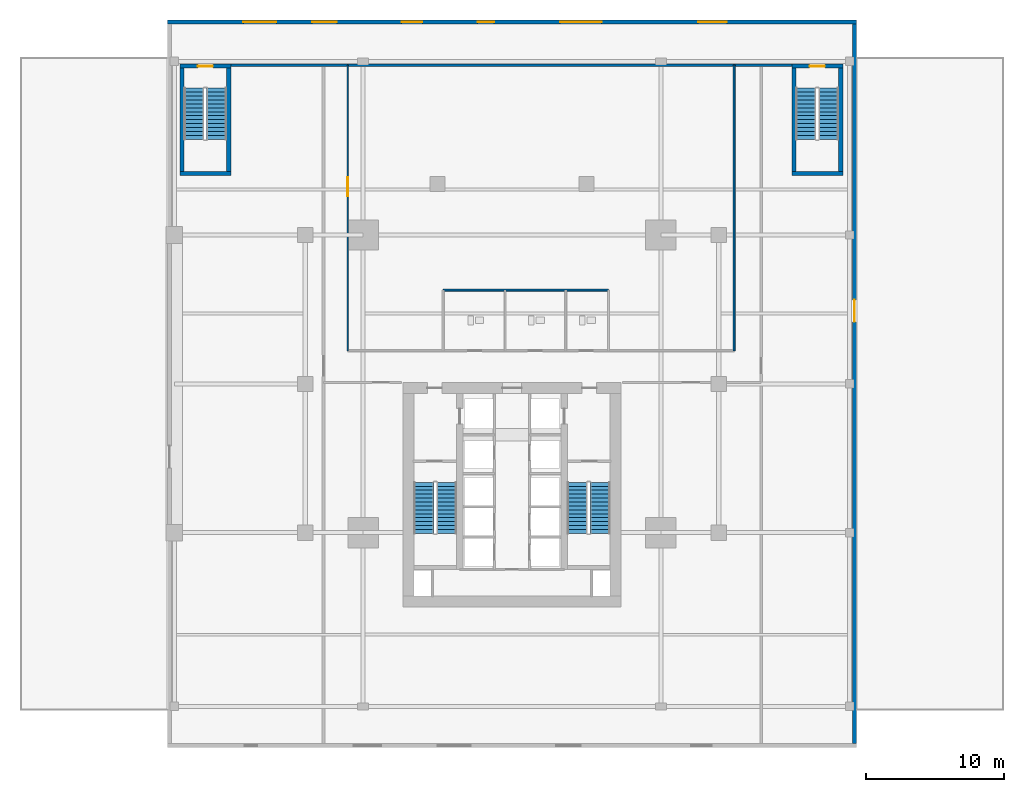
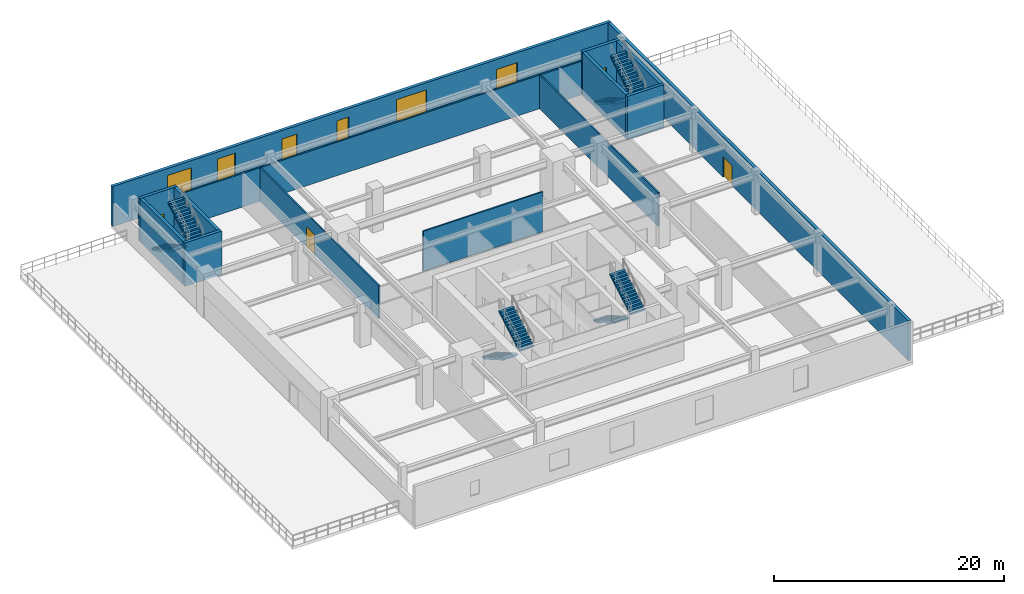
# One storey, part 4 of 9: 14 walls, 8 stair flights, 6 windows, 4 doors, 10 openings, 4 elements without a shape of their own.
"""IFC4 building model written with IfcOpenShell, lengths in metres."""

from ifc_helpers import new_model, si_unit, direction, frame, frame_2d, origin, place, context, subcontext, project, spatial, polyline, rectangle, outline, extrude, material, layer, layer_set, type_object, element, fill, aggregate, save


model = new_model("IFC4")

# Units and contexts
model_context = context("Model", 3, precision=1e-05, world=origin(), true_north=direction((0.0, 1.0)))
body_context = subcontext(model_context, "Body", "Model", "MODEL_VIEW")
ifc_project = project(units=[si_unit("LENGTHUNIT", "METRE"), si_unit("AREAUNIT", "SQUARE_METRE"), si_unit("VOLUMEUNIT", "CUBIC_METRE"), si_unit("PLANEANGLEUNIT", "RADIAN"), si_unit("MASSUNIT", "GRAM", prefix="KILO")], contexts=[model_context])

# Site, building, storey
site_placement = place(None, origin())
site = spatial("IfcSite", under=ifc_project, at=site_placement, CompositionType="ELEMENT")
building_placement = place(site_placement, origin())
building = spatial("IfcBuilding", under=site, at=building_placement, Name="Krantzveldt Concourse Tower", CompositionType="ELEMENT")
storey_placement = place(building_placement, frame((0.0, 0.0, 15.39990234375)))
storey = spatial("IfcBuildingStorey", under=building, at=storey_placement, Name="L03", CompositionType="ELEMENT", Elevation=15.39990234375)

# Wall, openings, windows
ifc_material_1 = material(Name="Concrete C40/50", Category="concrete")
ifc_layer_1 = layer(ifc_material_1, 0.300048828125, Name="Concrete C40/50", Category="concrete")
ifc_layer_set_1 = layer_set([ifc_layer_1], Name="Concrete C40/50 (WL-EXT-GRAN300)")
wall_type_1 = type_object("IfcWallType", Name="WL-EXT-GRAN300", PredefinedType="SOLIDWALL", material=ifc_layer_set_1)
wall_1_placement = place(storey_placement, frame((11.0, 52.949951171875, 0.0), z_axis=(0.0, 0.0, 1.0), x_axis=(1.0, 0.0, 0.0)))
wall_1 = element("IfcWall", 1, at=wall_1_placement, inside=storey, type_object=wall_type_1, Name="EW-L03-N", PredefinedType="SOLIDWALL", context=body_context, shape_type="SweptSolid", body=[
    extrude(rectangle(XDim=50.0, YDim=0.300048828125, at=frame_2d((25.0, 0.0))), origin(), (0.0, 0.0, 1.0), 4.25),
])
opening_1_placement = place(wall_1_placement, frame((5.5, 0.0, 0.89990234375)))
opening_1 = element("IfcOpeningElement", 2, at=opening_1_placement, cuts=wall_1, Name="Opening W-POD-2400x2600", PredefinedType="OPENING", context=body_context, shape_type="SweptSolid", body=[
    extrude(rectangle(XDim=2.39990234375, YDim=2.60009765625, at=frame_2d((1.199951171875, 1.300048828125))), frame((0.0, 0.16015625, 0.0), z_axis=(0.0, -1.0, 0.0), x_axis=(1.0, 0.0, 0.0)), (0.0, 0.0, 1.0), 0.320068359375),
])
opening_2_placement = place(wall_1_placement, frame((10.5, 0.0, 0.89990234375)))
opening_2 = element("IfcOpeningElement", 3, at=opening_2_placement, cuts=wall_1, Name="Opening W-POD-1800x2600", PredefinedType="OPENING", context=body_context, shape_type="SweptSolid", body=[
    extrude(rectangle(XDim=1.800048828125, YDim=2.60009765625, at=frame_2d((0.89990234375, 1.300048828125))), frame((0.0, 0.16015625, 0.0), z_axis=(0.0, -1.0, 0.0), x_axis=(1.0, 0.0, 0.0)), (0.0, 0.0, 1.0), 0.320068359375),
])
opening_3_placement = place(wall_1_placement, frame((17.0, 0.0, 0.949951171875)))
opening_3 = element("IfcOpeningElement", 4, at=opening_3_placement, cuts=wall_1, Name="Opening W-POD-1500x2400", PredefinedType="OPENING", context=body_context, shape_type="SweptSolid", body=[
    extrude(rectangle(XDim=1.5, YDim=2.39990234375, at=frame_2d((0.75, 1.199951171875))), frame((0.0, 0.16015625, 0.0), z_axis=(0.0, -1.0, 0.0), x_axis=(1.0, 0.0, 0.0)), (0.0, 0.0, 1.0), 0.320068359375),
])
opening_4_placement = place(wall_1_placement, frame((22.5, 0.0, 0.949951171875)))
opening_4 = element("IfcOpeningElement", 5, at=opening_4_placement, cuts=wall_1, Name="Opening W-POD-1200x2400", PredefinedType="OPENING", context=body_context, shape_type="SweptSolid", body=[
    extrude(rectangle(XDim=1.199951171875, YDim=2.39990234375, at=frame_2d((0.60009765625, 1.199951171875))), frame((0.0, 0.16015625, 0.0), z_axis=(0.0, -1.0, 0.0), x_axis=(1.0, 0.0, 0.0)), (0.0, 0.0, 1.0), 0.320068359375),
])
opening_5_placement = place(wall_1_placement, frame((28.5, 0.0, 0.89990234375)))
opening_5 = element("IfcOpeningElement", 6, at=opening_5_placement, cuts=wall_1, Name="Opening W-POD-3000x2600", PredefinedType="OPENING", context=body_context, shape_type="SweptSolid", body=[
    extrude(rectangle(XDim=3.0, YDim=2.60009765625, at=frame_2d((1.5, 1.300048828125))), frame((0.0, 0.16015625, 0.0), z_axis=(0.0, -1.0, 0.0), x_axis=(1.0, 0.0, 0.0)), (0.0, 0.0, 1.0), 0.320068359375),
])
opening_6_placement = place(wall_1_placement, frame((38.5, 0.0, 1.0)))
opening_6 = element("IfcOpeningElement", 7, at=opening_6_placement, cuts=wall_1, Name="Opening W-POD-2100x2200", PredefinedType="OPENING", context=body_context, shape_type="SweptSolid", body=[
    extrude(rectangle(XDim=2.10009765625, YDim=2.199951171875, at=frame_2d((1.050048828125, 1.10009765625))), frame((0.0, 0.16015625, 0.0), z_axis=(0.0, -1.0, 0.0), x_axis=(1.0, 0.0, 0.0)), (0.0, 0.0, 1.0), 0.320068359375),
])
ifc_material_2 = material(Name="Bronze-tinted laminated low-E IGU glass", Category="glass")
window_type_1 = type_object("IfcWindowType", Name="WN-POD-1200x2400", PartitioningType="SINGLE_PANEL", PredefinedType="WINDOW", material=ifc_material_2)
window_1_placement = place(opening_4_placement, origin())
window_1 = element("IfcWindow", 8, at=window_1_placement, inside=storey, type_object=window_type_1, Name="WN-L03-N04", OverallHeight=2.39990234375, OverallWidth=1.199951171875, PartitioningType="SINGLE_PANEL", PredefinedType="WINDOW", context=body_context, shape_type="SweptSolid", body=[
    extrude(rectangle(XDim=1.199951171875, YDim=2.39990234375, at=frame_2d((0.60009765625, 1.199951171875))), frame((0.0, 0.030029296875, 0.0), z_axis=(0.0, -1.0, 0.0), x_axis=(1.0, 0.0, 0.0)), (0.0, 0.0, 1.0), 0.06005859375),
])
fill(opening_4, window_1)
window_type_2 = type_object("IfcWindowType", Name="WN-POD-1500x2400", PartitioningType="SINGLE_PANEL", PredefinedType="WINDOW", material=ifc_material_2)
window_2_placement = place(opening_3_placement, origin())
window_2 = element("IfcWindow", 9, at=window_2_placement, inside=storey, type_object=window_type_2, Name="WN-L03-N03", OverallHeight=2.39990234375, OverallWidth=1.5, PartitioningType="SINGLE_PANEL", PredefinedType="WINDOW", context=body_context, shape_type="SweptSolid", body=[
    extrude(rectangle(XDim=1.5, YDim=2.39990234375, at=frame_2d((0.75, 1.199951171875))), frame((0.0, 0.030029296875, 0.0), z_axis=(0.0, -1.0, 0.0), x_axis=(1.0, 0.0, 0.0)), (0.0, 0.0, 1.0), 0.06005859375),
])
fill(opening_3, window_2)
window_type_3 = type_object("IfcWindowType", Name="WN-POD-1800x2600", PartitioningType="SINGLE_PANEL", PredefinedType="WINDOW", material=ifc_material_2)
window_3_placement = place(opening_2_placement, origin())
window_3 = element("IfcWindow", 10, at=window_3_placement, inside=storey, type_object=window_type_3, Name="WN-L03-N02", OverallHeight=2.60009765625, OverallWidth=1.800048828125, PartitioningType="SINGLE_PANEL", PredefinedType="WINDOW", context=body_context, shape_type="SweptSolid", body=[
    extrude(rectangle(XDim=1.800048828125, YDim=2.60009765625, at=frame_2d((0.89990234375, 1.300048828125))), frame((0.0, 0.030029296875, 0.0), z_axis=(0.0, -1.0, 0.0), x_axis=(1.0, 0.0, 0.0)), (0.0, 0.0, 1.0), 0.06005859375),
])
fill(opening_2, window_3)
window_type_4 = type_object("IfcWindowType", Name="WN-POD-2100x2200", PartitioningType="SINGLE_PANEL", PredefinedType="WINDOW", material=ifc_material_2)
window_4_placement = place(opening_6_placement, origin())
window_4 = element("IfcWindow", 11, at=window_4_placement, inside=storey, type_object=window_type_4, Name="WN-L03-N06", OverallHeight=2.199951171875, OverallWidth=2.10009765625, PartitioningType="SINGLE_PANEL", PredefinedType="WINDOW", context=body_context, shape_type="SweptSolid", body=[
    extrude(rectangle(XDim=2.10009765625, YDim=2.199951171875, at=frame_2d((1.050048828125, 1.10009765625))), frame((0.0, 0.030029296875, 0.0), z_axis=(0.0, -1.0, 0.0), x_axis=(1.0, 0.0, 0.0)), (0.0, 0.0, 1.0), 0.06005859375),
])
fill(opening_6, window_4)
window_type_5 = type_object("IfcWindowType", Name="WN-POD-2400x2600", PartitioningType="SINGLE_PANEL", PredefinedType="WINDOW", material=ifc_material_2)
window_5_placement = place(opening_1_placement, origin())
window_5 = element("IfcWindow", 12, at=window_5_placement, inside=storey, type_object=window_type_5, Name="WN-L03-N01", OverallHeight=2.60009765625, OverallWidth=2.39990234375, PartitioningType="SINGLE_PANEL", PredefinedType="WINDOW", context=body_context, shape_type="SweptSolid", body=[
    extrude(rectangle(XDim=2.39990234375, YDim=2.60009765625, at=frame_2d((1.199951171875, 1.300048828125))), frame((0.0, 0.030029296875, 0.0), z_axis=(0.0, -1.0, 0.0), x_axis=(1.0, 0.0, 0.0)), (0.0, 0.0, 1.0), 0.06005859375),
])
fill(opening_1, window_5)
window_type_6 = type_object("IfcWindowType", Name="WN-POD-3000x2600", PartitioningType="SINGLE_PANEL", PredefinedType="WINDOW", material=ifc_material_2)
window_6_placement = place(opening_5_placement, origin())
window_6 = element("IfcWindow", 13, at=window_6_placement, inside=storey, type_object=window_type_6, Name="WN-L03-N05", OverallHeight=2.60009765625, OverallWidth=3.0, PartitioningType="SINGLE_PANEL", PredefinedType="WINDOW", context=body_context, shape_type="SweptSolid", body=[
    extrude(rectangle(XDim=3.0, YDim=2.60009765625, at=frame_2d((1.5, 1.300048828125))), frame((0.0, 0.030029296875, 0.0), z_axis=(0.0, -1.0, 0.0), x_axis=(1.0, 0.0, 0.0)), (0.0, 0.0, 1.0), 0.06005859375),
])
fill(opening_5, window_6)

# Wall, opening, door
wall_2_placement = place(storey_placement, frame((60.85009765625, 52.800048828125, 0.0), z_axis=(0.0, 0.0, 1.0), x_axis=(0.0, -1.0, 0.0)))
wall_2 = element("IfcWall", 14, at=wall_2_placement, inside=storey, type_object=wall_type_1, Name="EW-L03-E", PredefinedType="SOLIDWALL", context=body_context, shape_type="SweptSolid", body=[
    extrude(rectangle(XDim=52.199951171875, YDim=0.300048828125, at=frame_2d((26.10009765625, 0.0))), origin(), (0.0, 0.0, 1.0), 4.25),
])
opening_7_placement = place(wall_2_placement, frame((20.0, 0.0, 0.0)))
opening_7 = element("IfcOpeningElement", 15, at=opening_7_placement, cuts=wall_2, Name="Opening D-TR16", PredefinedType="OPENING", context=body_context, shape_type="SweptSolid", body=[
    extrude(rectangle(XDim=1.60009765625, YDim=2.14990234375, at=frame_2d((0.800048828125, 1.074951171875))), frame((0.0, 0.16015625, 0.0), z_axis=(0.0, -1.0, 0.0), x_axis=(1.0, 0.0, 0.0)), (0.0, 0.0, 1.0), 0.320068359375),
])
ifc_material_3 = material(Name="Anodised aluminium 6063-T6", Category="aluminium")
door_type_1 = type_object("IfcDoorType", Name="DR-TER-1600", OperationType="DOUBLE_DOOR_SINGLE_SWING", PredefinedType="DOOR", material=ifc_material_3)
door_1_placement = place(opening_7_placement, origin())
door_1 = element("IfcDoor", 16, at=door_1_placement, inside=storey, type_object=door_type_1, Name="DR-L03-TERE", OperationType="DOUBLE_DOOR_SINGLE_SWING", OverallHeight=2.14990234375, OverallWidth=1.60009765625, PredefinedType="DOOR", context=body_context, shape_type="SweptSolid", body=[
    extrude(rectangle(XDim=1.60009765625, YDim=2.14990234375, at=frame_2d((0.800048828125, 1.074951171875))), frame((0.0, 0.02490234375, 0.0), z_axis=(0.0, -1.0, 0.0), x_axis=(1.0, 0.0, 0.0)), (0.0, 0.0, 1.0), 0.050048828125),
])
fill(opening_7, door_1)

ifc_material_4 = material(Name="Fire-rated gypsum plasterboard on steel stud", Category="steel")
ifc_layer_2 = layer(ifc_material_4, 0.139892578125, Name="Fire-rated gypsum plasterboard on steel stud", Category="steel")
ifc_layer_set_2 = layer_set([ifc_layer_2], Name="Fire-rated gypsum plasterboard on steel stud (WL-PART-140)")
wall_type_2 = type_object("IfcWallType", Name="WL-PART-140", PredefinedType="PARTITIONING", material=ifc_layer_set_2)
wall_3_placement = place(storey_placement, frame((24.080078125, 29.10009765625, 0.0), z_axis=(0.0, 0.0, 1.0), x_axis=(0.0, 1.0, 0.0)))
wall_3 = element("IfcWall", 17, at=wall_3_placement, inside=storey, type_object=wall_type_2, Name="WP-L03-CWL2", PredefinedType="PARTITIONING", context=body_context, shape_type="SweptSolid", body=[
    extrude(rectangle(XDim=20.719970703125, YDim=0.139892578125, at=frame_2d((10.35986328125, 0.0))), origin(), (0.0, 0.0, 1.0), 3.550048828125),
])
opening_8_placement = place(wall_3_placement, frame((11.199951171875, 0.0, 0.0)))
opening_8 = element("IfcOpeningElement", 18, at=opening_8_placement, cuts=wall_3, Name="Opening D-DB140", PredefinedType="OPENING", context=body_context, shape_type="SweptSolid", body=[
    extrude(rectangle(XDim=1.39990234375, YDim=2.199951171875, at=frame_2d((0.699951171875, 1.10009765625))), frame((0.0, 0.080078125, 0.0), z_axis=(0.0, -1.0, 0.0), x_axis=(1.0, 0.0, 0.0)), (0.0, 0.0, 1.0), 0.159912109375),
])
door_type_2 = type_object("IfcDoorType", Name="DR-DBL-1400", OperationType="DOUBLE_DOOR_SINGLE_SWING", PredefinedType="DOOR", material=ifc_material_3)
door_2_placement = place(opening_8_placement, origin())
door_2 = element("IfcDoor", 19, at=door_2_placement, inside=storey, type_object=door_type_2, Name="DR-L03-LNG", OperationType="DOUBLE_DOOR_SINGLE_SWING", OverallHeight=2.199951171875, OverallWidth=1.39990234375, PredefinedType="DOOR", context=body_context, shape_type="SweptSolid", body=[
    extrude(rectangle(XDim=1.39990234375, YDim=2.199951171875, at=frame_2d((0.699951171875, 1.10009765625))), frame((0.0, 0.02490234375, 0.0), z_axis=(0.0, -1.0, 0.0), x_axis=(1.0, 0.0, 0.0)), (0.0, 0.0, 1.0), 0.050048828125),
])
fill(opening_8, door_2)

# Walls
wall_4_placement = place(storey_placement, frame((52.1201171875, 29.10009765625, 0.0), z_axis=(0.0, 0.0, 1.0), x_axis=(0.0, 1.0, 0.0)))
element("IfcWall", 20, at=wall_4_placement, inside=storey, type_object=wall_type_2, Name="WP-L03-CEL1", PredefinedType="PARTITIONING", context=body_context, shape_type="SweptSolid", body=[
    extrude(rectangle(XDim=20.719970703125, YDim=0.139892578125, at=frame_2d((10.35986328125, 0.0))), origin(), (0.0, 0.0, 1.0), 3.610107421875),
])
wall_5_placement = place(storey_placement, frame((31.0, 33.5, 0.0), z_axis=(0.0, 0.0, 1.0), x_axis=(1.0, 0.0, 0.0)))
element("IfcWall", 21, at=wall_5_placement, inside=storey, type_object=wall_type_2, Name="WP-L03-WCN", PredefinedType="PARTITIONING", context=body_context, shape_type="SweptSolid", body=[
    extrude(rectangle(XDim=12.0, YDim=0.139892578125, at=frame_2d((6.0, 0.0))), origin(), (0.0, 0.0, 1.0), 4.25),
])
ifc_layer_3 = layer(ifc_material_4, 0.159912109375, Name="Fire-rated gypsum plasterboard on steel stud", Category="steel")
ifc_layer_set_3 = layer_set([ifc_layer_3], Name="Fire-rated gypsum plasterboard on steel stud (WL-PART-FR160)")
wall_type_3 = type_object("IfcWallType", Name="WL-PART-FR160", PredefinedType="PARTITIONING", material=ifc_layer_set_3)
wall_6_placement = place(storey_placement, frame((15.60009765625, 49.820068359375, 0.0), z_axis=(0.0, 0.0, 1.0), x_axis=(1.0, 0.0, 0.0)))
element("IfcWall", 22, at=wall_6_placement, inside=storey, type_object=wall_type_3, Name="WP-L03-CNT", PredefinedType="PARTITIONING", context=body_context, shape_type="SweptSolid", body=[
    extrude(rectangle(XDim=40.699951171875, YDim=0.159912109375, at=frame_2d((20.35009765625, 0.0))), origin(), (0.0, 0.0, 1.0), 3.56005859375),
])
ifc_material_5 = material(Name="Concrete C50/60", Category="concrete")
ifc_layer_4 = layer(ifc_material_5, 0.300048828125, Name="Concrete C50/60", Category="concrete")
ifc_layer_set_4 = layer_set([ifc_layer_4], Name="Concrete C50/60 (WL-SHEAR-300)")
wall_type_4 = type_object("IfcWallType", Name="WL-SHEAR-300", PredefinedType="SHEAR", material=ifc_layer_set_4)
wall_7_placement = place(storey_placement, frame((11.89990234375, 41.969970703125, 0.0), z_axis=(0.0, 0.0, 1.0), x_axis=(1.0, 0.0, 0.0)))
element("IfcWall", 23, at=wall_7_placement, inside=storey, type_object=wall_type_4, Name="CW-L03-ST3-S", PredefinedType="SHEAR", context=body_context, shape_type="SweptSolid", body=[
    extrude(rectangle(XDim=3.7001953125, YDim=0.300048828125, at=frame_2d((1.85009765625, 0.0))), origin(), (0.0, 0.0, 1.0), 4.60009765625),
])

# Wall, opening, door
wall_8_placement = place(storey_placement, frame((15.60009765625, 49.75, 0.0), z_axis=(0.0, 0.0, 1.0), x_axis=(-1.0, 0.0, 0.0)))
wall_8 = element("IfcWall", 24, at=wall_8_placement, inside=storey, type_object=wall_type_4, Name="CW-L03-ST3-N", PredefinedType="SHEAR", context=body_context, shape_type="SweptSolid", body=[
    extrude(rectangle(XDim=3.7001953125, YDim=0.300048828125, at=frame_2d((1.85009765625, 0.0))), origin(), (0.0, 0.0, 1.0), 4.60009765625),
])
opening_9_placement = place(wall_8_placement, frame((1.300048828125, 0.0, 0.0)))
opening_9 = element("IfcOpeningElement", 25, at=opening_9_placement, cuts=wall_8, Name="Opening D-FD110", PredefinedType="OPENING", context=body_context, shape_type="SweptSolid", body=[
    extrude(rectangle(XDim=1.10009765625, YDim=2.14990234375, at=frame_2d((0.550048828125, 1.074951171875))), frame((0.0, 0.16015625, 0.0), z_axis=(0.0, -1.0, 0.0), x_axis=(1.0, 0.0, 0.0)), (0.0, 0.0, 1.0), 0.320068359375),
])
ifc_material_6 = material(Name="Galvanised steel", Category="steel")
door_type_3 = type_object("IfcDoorType", Name="DR-FD120-1100", OperationType="SINGLE_SWING_LEFT", PredefinedType="DOOR", material=ifc_material_6)
door_3_placement = place(opening_9_placement, origin())
door_3 = element("IfcDoor", 26, at=door_3_placement, inside=storey, type_object=door_type_3, Name="DR-L03-ST3", OperationType="SINGLE_SWING_LEFT", OverallHeight=2.14990234375, OverallWidth=1.10009765625, PredefinedType="DOOR", context=body_context, shape_type="SweptSolid", body=[
    extrude(rectangle(XDim=1.10009765625, YDim=2.14990234375, at=frame_2d((0.550048828125, 1.074951171875))), frame((0.0, 0.02490234375, 0.0), z_axis=(0.0, -1.0, 0.0), x_axis=(1.0, 0.0, 0.0)), (0.0, 0.0, 1.0), 0.050048828125),
])
fill(opening_9, door_3)

# Walls
for number, where, z_axis, x_axis, name in (
    (27, (12.050048828125, 42.1201171875, 0.0), (0.0, 0.0, 1.0), (0.0, 1.0, 0.0), "CW-L03-ST3-W"),
    (28, (15.449951171875, 42.1201171875, 0.0), (0.0, 0.0, 1.0), (0.0, 1.0, 0.0), "CW-L03-ST3-E"),
):
    element("IfcWall", number, at=place(storey_placement, frame(where, z_axis=z_axis, x_axis=x_axis)), inside=storey, type_object=wall_type_4, Name=name, PredefinedType="SHEAR", context=body_context, shape_type="SweptSolid", body=[
        extrude(rectangle(XDim=7.47998046875, YDim=0.300048828125, at=frame_2d((3.739990234375, 0.0))), origin(), (0.0, 0.0, 1.0), 4.60009765625),
    ])
wall_9_placement = place(storey_placement, frame((56.300048828125, 41.969970703125, 0.0), z_axis=(0.0, 0.0, 1.0), x_axis=(1.0, 0.0, 0.0)))
element("IfcWall", 29, at=wall_9_placement, inside=storey, type_object=wall_type_4, Name="CW-L03-ST4-S", PredefinedType="SHEAR", context=body_context, shape_type="SweptSolid", body=[
    extrude(rectangle(XDim=3.699951171875, YDim=0.300048828125, at=frame_2d((1.85009765625, 0.0))), origin(), (0.0, 0.0, 1.0), 4.60009765625),
])

# Wall, opening, door
wall_10_placement = place(storey_placement, frame((60.0, 49.75, 0.0), z_axis=(0.0, 0.0, 1.0), x_axis=(-1.0, 0.0, 0.0)))
wall_10 = element("IfcWall", 30, at=wall_10_placement, inside=storey, type_object=wall_type_4, Name="CW-L03-ST4-N", PredefinedType="SHEAR", context=body_context, shape_type="SweptSolid", body=[
    extrude(rectangle(XDim=3.699951171875, YDim=0.300048828125, at=frame_2d((1.85009765625, 0.0))), origin(), (0.0, 0.0, 1.0), 4.60009765625),
])
opening_10_placement = place(wall_10_placement, frame((1.300048828125, 0.0, 0.0)))
opening_10 = element("IfcOpeningElement", 31, at=opening_10_placement, cuts=wall_10, Name="Opening D-FD110", PredefinedType="OPENING", context=body_context, shape_type="SweptSolid", body=[
    extrude(rectangle(XDim=1.10009765625, YDim=2.14990234375, at=frame_2d((0.550048828125, 1.074951171875))), frame((0.0, 0.16015625, 0.0), z_axis=(0.0, -1.0, 0.0), x_axis=(1.0, 0.0, 0.0)), (0.0, 0.0, 1.0), 0.320068359375),
])
door_4_placement = place(opening_10_placement, origin())
door_4 = element("IfcDoor", 32, at=door_4_placement, inside=storey, type_object=door_type_3, Name="DR-L03-ST4", OperationType="SINGLE_SWING_LEFT", OverallHeight=2.14990234375, OverallWidth=1.10009765625, PredefinedType="DOOR", context=body_context, shape_type="SweptSolid", body=[
    extrude(rectangle(XDim=1.10009765625, YDim=2.14990234375, at=frame_2d((0.550048828125, 1.074951171875))), frame((0.0, 0.02490234375, 0.0), z_axis=(0.0, -1.0, 0.0), x_axis=(1.0, 0.0, 0.0)), (0.0, 0.0, 1.0), 0.050048828125),
])
fill(opening_10, door_4)

# Walls
for number, where, z_axis, x_axis, name in (
    (33, (56.449951171875, 42.1201171875, 0.0), (0.0, 0.0, 1.0), (0.0, 1.0, 0.0), "CW-L03-ST4-W"),
    (34, (59.85009765625, 42.1201171875, 0.0), (0.0, 0.0, 1.0), (0.0, 1.0, 0.0), "CW-L03-ST4-E"),
):
    element("IfcWall", number, at=place(storey_placement, frame(where, z_axis=z_axis, x_axis=x_axis)), inside=storey, type_object=wall_type_4, Name=name, PredefinedType="SHEAR", context=body_context, shape_type="SweptSolid", body=[
        extrude(rectangle(XDim=7.47998046875, YDim=0.300048828125, at=frame_2d((3.739990234375, 0.0))), origin(), (0.0, 0.0, 1.0), 4.60009765625),
    ])

# Stair, stair flights
ifc_material_7 = material(Name="Precast concrete C40/50", Category="concrete")
stair_type = type_object("IfcStairType", Name="STR-CORE-DOGLEG", PredefinedType="HALF_TURN_STAIR", material=ifc_material_7)
stair_1_placement = place(storey_placement, origin())
stair_1 = element("IfcStair", 35, at=stair_1_placement, inside=storey, type_object=stair_type, Name="L03 Protected Escape Stair ST-1", PredefinedType="HALF_TURN_STAIR")
stair_flight_type = type_object("IfcStairFlightType", Name="STF-CORE-1450", PredefinedType="STRAIGHT", material=ifc_material_7)
stair_flight_1_placement = place(storey_placement, frame((29.60498046875, 19.550048828125, 0.0), z_axis=(0.0, 0.0, 1.0), x_axis=(0.0, -1.0, 0.0)))
stair_flight_1 = element("IfcStairFlight", 36, at=stair_flight_1_placement, type_object=stair_flight_type, Name="ST-1 flight 1", NumberOfRisers=14, NumberOfTreads=13, PredefinedType="STRAIGHT", RiserHeight=0.164285714, TreadLength=0.285, context=body_context, shape_type="SweptSolid", body=[
    extrude(outline(polyline([(0.0, 0.0), (0.0, 0.164306640625), (0.284912109375, 0.164306640625), (0.284912109375, 0.32861328125), (0.570068359375, 0.32861328125), (0.570068359375, 0.492919921875), (0.85498046875, 0.492919921875), (0.85498046875, 0.6572265625), (1.139892578125, 0.6572265625), (1.139892578125, 0.821533203125), (1.425048828125, 0.821533203125), (1.425048828125, 0.985595703125), (1.7099609375, 0.985595703125), (1.7099609375, 1.14990234375), (1.9951171875, 1.14990234375), (1.9951171875, 1.314208984375), (2.280029296875, 1.314208984375), (2.280029296875, 1.478515625), (2.56494140625, 1.478515625), (2.56494140625, 1.642822265625), (2.85009765625, 1.642822265625), (2.85009765625, 1.80712890625), (3.135009765625, 1.80712890625), (3.135009765625, 1.971435546875), (3.419921875, 1.971435546875), (3.419921875, 2.1357421875), (3.705078125, 2.1357421875), (3.705078125, 2.300048828125), (3.705078125, 1.962646484375), (0.300048828125, 0.0), (0.0, 0.0)])), frame((0.0, 0.72509765625, 0.0), z_axis=(0.0, -1.0, 0.0), x_axis=(1.0, 0.0, 0.0)), (0.0, 0.0, 1.0), 1.449951171875),
])
stair_flight_2_placement = place(storey_placement, frame((31.2548828125, 15.844970703125, 2.300048828125), z_axis=(0.0, 0.0, 1.0), x_axis=(0.0, 1.0, 0.0)))
stair_flight_2 = element("IfcStairFlight", 37, at=stair_flight_2_placement, type_object=stair_flight_type, Name="ST-1 flight 2", NumberOfRisers=14, NumberOfTreads=13, PredefinedType="STRAIGHT", RiserHeight=0.164285714, TreadLength=0.285, context=body_context, shape_type="SweptSolid", body=[
    extrude(outline(polyline([(0.0, 0.0), (0.0, 0.164306640625), (0.284912109375, 0.164306640625), (0.284912109375, 0.32861328125), (0.570068359375, 0.32861328125), (0.570068359375, 0.492919921875), (0.85498046875, 0.492919921875), (0.85498046875, 0.6572265625), (1.139892578125, 0.6572265625), (1.139892578125, 0.821533203125), (1.425048828125, 0.821533203125), (1.425048828125, 0.985595703125), (1.7099609375, 0.985595703125), (1.7099609375, 1.14990234375), (1.9951171875, 1.14990234375), (1.9951171875, 1.314208984375), (2.280029296875, 1.314208984375), (2.280029296875, 1.478515625), (2.56494140625, 1.478515625), (2.56494140625, 1.642822265625), (2.85009765625, 1.642822265625), (2.85009765625, 1.80712890625), (3.135009765625, 1.80712890625), (3.135009765625, 1.971435546875), (3.419921875, 1.971435546875), (3.419921875, 2.1357421875), (3.705078125, 2.1357421875), (3.705078125, 2.300048828125), (3.705078125, 1.962646484375), (0.300048828125, 0.0), (0.0, 0.0)])), frame((0.0, 0.72509765625, 0.0), z_axis=(0.0, -1.0, 0.0), x_axis=(1.0, 0.0, 0.0)), (0.0, 0.0, 1.0), 1.449951171875),
])
aggregate(stair_1, [stair_flight_1, stair_flight_2])

stair_2_placement = place(storey_placement, origin())
stair_2 = element("IfcStair", 38, at=stair_2_placement, inside=storey, type_object=stair_type, Name="L03 Protected Escape Stair ST-2", PredefinedType="HALF_TURN_STAIR")
stair_flight_3_placement = place(storey_placement, frame((40.7451171875, 19.550048828125, 0.0), z_axis=(0.0, 0.0, 1.0), x_axis=(0.0, -1.0, 0.0)))
stair_flight_3 = element("IfcStairFlight", 39, at=stair_flight_3_placement, type_object=stair_flight_type, Name="ST-2 flight 1", NumberOfRisers=14, NumberOfTreads=13, PredefinedType="STRAIGHT", RiserHeight=0.164285714, TreadLength=0.285, context=body_context, shape_type="SweptSolid", body=[
    extrude(outline(polyline([(0.0, 0.0), (0.0, 0.164306640625), (0.284912109375, 0.164306640625), (0.284912109375, 0.32861328125), (0.570068359375, 0.32861328125), (0.570068359375, 0.492919921875), (0.85498046875, 0.492919921875), (0.85498046875, 0.6572265625), (1.139892578125, 0.6572265625), (1.139892578125, 0.821533203125), (1.425048828125, 0.821533203125), (1.425048828125, 0.985595703125), (1.7099609375, 0.985595703125), (1.7099609375, 1.14990234375), (1.9951171875, 1.14990234375), (1.9951171875, 1.314208984375), (2.280029296875, 1.314208984375), (2.280029296875, 1.478515625), (2.56494140625, 1.478515625), (2.56494140625, 1.642822265625), (2.85009765625, 1.642822265625), (2.85009765625, 1.80712890625), (3.135009765625, 1.80712890625), (3.135009765625, 1.971435546875), (3.419921875, 1.971435546875), (3.419921875, 2.1357421875), (3.705078125, 2.1357421875), (3.705078125, 2.300048828125), (3.705078125, 1.962646484375), (0.300048828125, 0.0), (0.0, 0.0)])), frame((0.0, 0.72509765625, 0.0), z_axis=(0.0, -1.0, 0.0), x_axis=(1.0, 0.0, 0.0)), (0.0, 0.0, 1.0), 1.449951171875),
])
stair_flight_4_placement = place(storey_placement, frame((42.39501953125, 15.844970703125, 2.300048828125), z_axis=(0.0, 0.0, 1.0), x_axis=(0.0, 1.0, 0.0)))
stair_flight_4 = element("IfcStairFlight", 40, at=stair_flight_4_placement, type_object=stair_flight_type, Name="ST-2 flight 2", NumberOfRisers=14, NumberOfTreads=13, PredefinedType="STRAIGHT", RiserHeight=0.164285714, TreadLength=0.285, context=body_context, shape_type="SweptSolid", body=[
    extrude(outline(polyline([(0.0, 0.0), (0.0, 0.164306640625), (0.284912109375, 0.164306640625), (0.284912109375, 0.32861328125), (0.570068359375, 0.32861328125), (0.570068359375, 0.492919921875), (0.85498046875, 0.492919921875), (0.85498046875, 0.6572265625), (1.139892578125, 0.6572265625), (1.139892578125, 0.821533203125), (1.425048828125, 0.821533203125), (1.425048828125, 0.985595703125), (1.7099609375, 0.985595703125), (1.7099609375, 1.14990234375), (1.9951171875, 1.14990234375), (1.9951171875, 1.314208984375), (2.280029296875, 1.314208984375), (2.280029296875, 1.478515625), (2.56494140625, 1.478515625), (2.56494140625, 1.642822265625), (2.85009765625, 1.642822265625), (2.85009765625, 1.80712890625), (3.135009765625, 1.80712890625), (3.135009765625, 1.971435546875), (3.419921875, 1.971435546875), (3.419921875, 2.1357421875), (3.705078125, 2.1357421875), (3.705078125, 2.300048828125), (3.705078125, 1.962646484375), (0.300048828125, 0.0), (0.0, 0.0)])), frame((0.0, 0.72509765625, 0.0), z_axis=(0.0, -1.0, 0.0), x_axis=(1.0, 0.0, 0.0)), (0.0, 0.0, 1.0), 1.449951171875),
])
aggregate(stair_2, [stair_flight_3, stair_flight_4])

stair_3_placement = place(storey_placement, origin())
stair_3 = element("IfcStair", 41, at=stair_3_placement, inside=storey, type_object=stair_type, Name="L03 Podium Escape Stair ST-3", PredefinedType="HALF_TURN_STAIR")
stair_flight_5_placement = place(storey_placement, frame((12.925048828125, 48.14990234375, 0.0), z_axis=(0.0, 0.0, 1.0), x_axis=(0.0, -1.0, 0.0)))
stair_flight_5 = element("IfcStairFlight", 42, at=stair_flight_5_placement, type_object=stair_flight_type, Name="ST-3 flight 1", NumberOfRisers=14, NumberOfTreads=13, PredefinedType="STRAIGHT", RiserHeight=0.164285714, TreadLength=0.285, context=body_context, shape_type="SweptSolid", body=[
    extrude(outline(polyline([(0.0, 0.0), (0.0, 0.164306640625), (0.284912109375, 0.164306640625), (0.284912109375, 0.32861328125), (0.570068359375, 0.32861328125), (0.570068359375, 0.492919921875), (0.85498046875, 0.492919921875), (0.85498046875, 0.6572265625), (1.139892578125, 0.6572265625), (1.139892578125, 0.821533203125), (1.425048828125, 0.821533203125), (1.425048828125, 0.985595703125), (1.7099609375, 0.985595703125), (1.7099609375, 1.14990234375), (1.9951171875, 1.14990234375), (1.9951171875, 1.314208984375), (2.280029296875, 1.314208984375), (2.280029296875, 1.478515625), (2.56494140625, 1.478515625), (2.56494140625, 1.642822265625), (2.85009765625, 1.642822265625), (2.85009765625, 1.80712890625), (3.135009765625, 1.80712890625), (3.135009765625, 1.971435546875), (3.419921875, 1.971435546875), (3.419921875, 2.1357421875), (3.705078125, 2.1357421875), (3.705078125, 2.300048828125), (3.705078125, 1.962646484375), (0.300048828125, 0.0), (0.0, 0.0)])), frame((0.0, 0.72509765625, 0.0), z_axis=(0.0, -1.0, 0.0), x_axis=(1.0, 0.0, 0.0)), (0.0, 0.0, 1.0), 1.449951171875),
])
stair_flight_6_placement = place(storey_placement, frame((14.574951171875, 44.445068359375, 2.300048828125), z_axis=(0.0, 0.0, 1.0), x_axis=(0.0, 1.0, 0.0)))
stair_flight_6 = element("IfcStairFlight", 43, at=stair_flight_6_placement, type_object=stair_flight_type, Name="ST-3 flight 2", NumberOfRisers=14, NumberOfTreads=13, PredefinedType="STRAIGHT", RiserHeight=0.164285714, TreadLength=0.285, context=body_context, shape_type="SweptSolid", body=[
    extrude(outline(polyline([(0.0, 0.0), (0.0, 0.164306640625), (0.284912109375, 0.164306640625), (0.284912109375, 0.32861328125), (0.570068359375, 0.32861328125), (0.570068359375, 0.492919921875), (0.85498046875, 0.492919921875), (0.85498046875, 0.6572265625), (1.139892578125, 0.6572265625), (1.139892578125, 0.821533203125), (1.425048828125, 0.821533203125), (1.425048828125, 0.985595703125), (1.7099609375, 0.985595703125), (1.7099609375, 1.14990234375), (1.9951171875, 1.14990234375), (1.9951171875, 1.314208984375), (2.280029296875, 1.314208984375), (2.280029296875, 1.478515625), (2.56494140625, 1.478515625), (2.56494140625, 1.642822265625), (2.85009765625, 1.642822265625), (2.85009765625, 1.80712890625), (3.135009765625, 1.80712890625), (3.135009765625, 1.971435546875), (3.419921875, 1.971435546875), (3.419921875, 2.1357421875), (3.705078125, 2.1357421875), (3.705078125, 2.300048828125), (3.705078125, 1.962646484375), (0.300048828125, 0.0), (0.0, 0.0)])), frame((0.0, 0.72509765625, 0.0), z_axis=(0.0, -1.0, 0.0), x_axis=(1.0, 0.0, 0.0)), (0.0, 0.0, 1.0), 1.449951171875),
])
aggregate(stair_3, [stair_flight_5, stair_flight_6])

stair_4_placement = place(storey_placement, origin())
stair_4 = element("IfcStair", 44, at=stair_4_placement, inside=storey, type_object=stair_type, Name="L03 Podium Escape Stair ST-4", PredefinedType="HALF_TURN_STAIR")
stair_flight_7_placement = place(storey_placement, frame((57.324951171875, 48.14990234375, 0.0), z_axis=(0.0, 0.0, 1.0), x_axis=(0.0, -1.0, 0.0)))
stair_flight_7 = element("IfcStairFlight", 45, at=stair_flight_7_placement, type_object=stair_flight_type, Name="ST-4 flight 1", NumberOfRisers=14, NumberOfTreads=13, PredefinedType="STRAIGHT", RiserHeight=0.164285714, TreadLength=0.285, context=body_context, shape_type="SweptSolid", body=[
    extrude(outline(polyline([(0.0, 0.0), (0.0, 0.164306640625), (0.284912109375, 0.164306640625), (0.284912109375, 0.32861328125), (0.570068359375, 0.32861328125), (0.570068359375, 0.492919921875), (0.85498046875, 0.492919921875), (0.85498046875, 0.6572265625), (1.139892578125, 0.6572265625), (1.139892578125, 0.821533203125), (1.425048828125, 0.821533203125), (1.425048828125, 0.985595703125), (1.7099609375, 0.985595703125), (1.7099609375, 1.14990234375), (1.9951171875, 1.14990234375), (1.9951171875, 1.314208984375), (2.280029296875, 1.314208984375), (2.280029296875, 1.478515625), (2.56494140625, 1.478515625), (2.56494140625, 1.642822265625), (2.85009765625, 1.642822265625), (2.85009765625, 1.80712890625), (3.135009765625, 1.80712890625), (3.135009765625, 1.971435546875), (3.419921875, 1.971435546875), (3.419921875, 2.1357421875), (3.705078125, 2.1357421875), (3.705078125, 2.300048828125), (3.705078125, 1.962646484375), (0.300048828125, 0.0), (0.0, 0.0)])), frame((0.0, 0.72509765625, 0.0), z_axis=(0.0, -1.0, 0.0), x_axis=(1.0, 0.0, 0.0)), (0.0, 0.0, 1.0), 1.449951171875),
])
stair_flight_8_placement = place(storey_placement, frame((58.97509765625, 44.445068359375, 2.300048828125), z_axis=(0.0, 0.0, 1.0), x_axis=(0.0, 1.0, 0.0)))
stair_flight_8 = element("IfcStairFlight", 46, at=stair_flight_8_placement, type_object=stair_flight_type, Name="ST-4 flight 2", NumberOfRisers=14, NumberOfTreads=13, PredefinedType="STRAIGHT", RiserHeight=0.164285714, TreadLength=0.285, context=body_context, shape_type="SweptSolid", body=[
    extrude(outline(polyline([(0.0, 0.0), (0.0, 0.164306640625), (0.284912109375, 0.164306640625), (0.284912109375, 0.32861328125), (0.570068359375, 0.32861328125), (0.570068359375, 0.492919921875), (0.85498046875, 0.492919921875), (0.85498046875, 0.6572265625), (1.139892578125, 0.6572265625), (1.139892578125, 0.821533203125), (1.425048828125, 0.821533203125), (1.425048828125, 0.985595703125), (1.7099609375, 0.985595703125), (1.7099609375, 1.14990234375), (1.9951171875, 1.14990234375), (1.9951171875, 1.314208984375), (2.280029296875, 1.314208984375), (2.280029296875, 1.478515625), (2.56494140625, 1.478515625), (2.56494140625, 1.642822265625), (2.85009765625, 1.642822265625), (2.85009765625, 1.80712890625), (3.135009765625, 1.80712890625), (3.135009765625, 1.971435546875), (3.419921875, 1.971435546875), (3.419921875, 2.1357421875), (3.705078125, 2.1357421875), (3.705078125, 2.300048828125), (3.705078125, 1.962646484375), (0.300048828125, 0.0), (0.0, 0.0)])), frame((0.0, 0.72509765625, 0.0), z_axis=(0.0, -1.0, 0.0), x_axis=(1.0, 0.0, 0.0)), (0.0, 0.0, 1.0), 1.449951171875),
])
aggregate(stair_4, [stair_flight_7, stair_flight_8])

save(model, "model.ifc")
